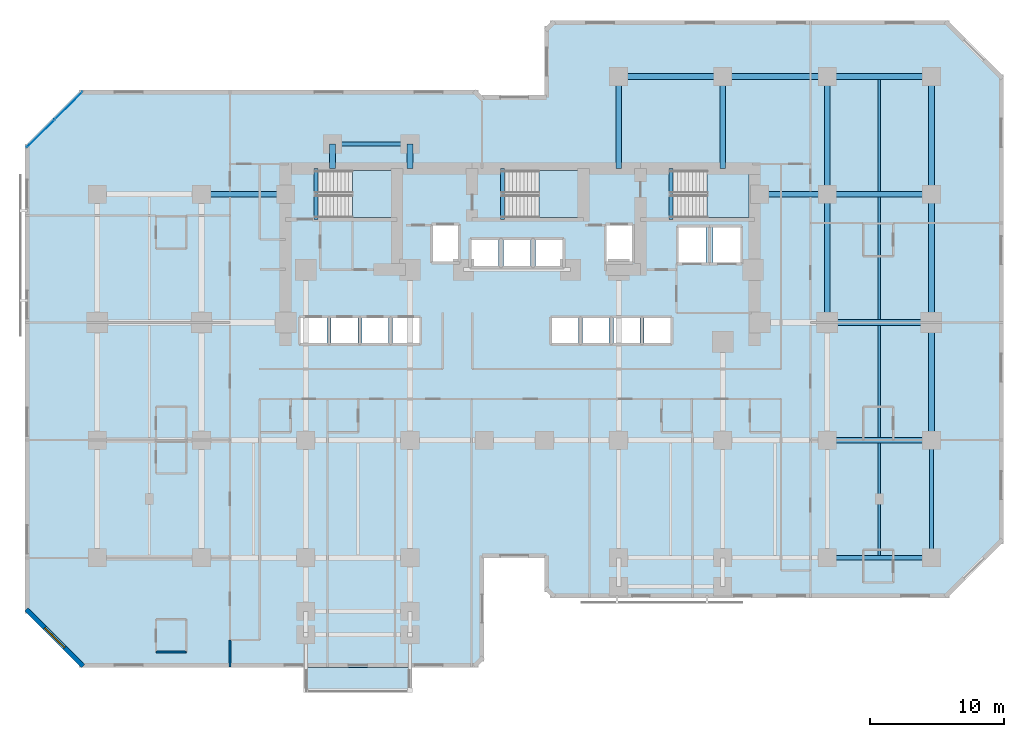
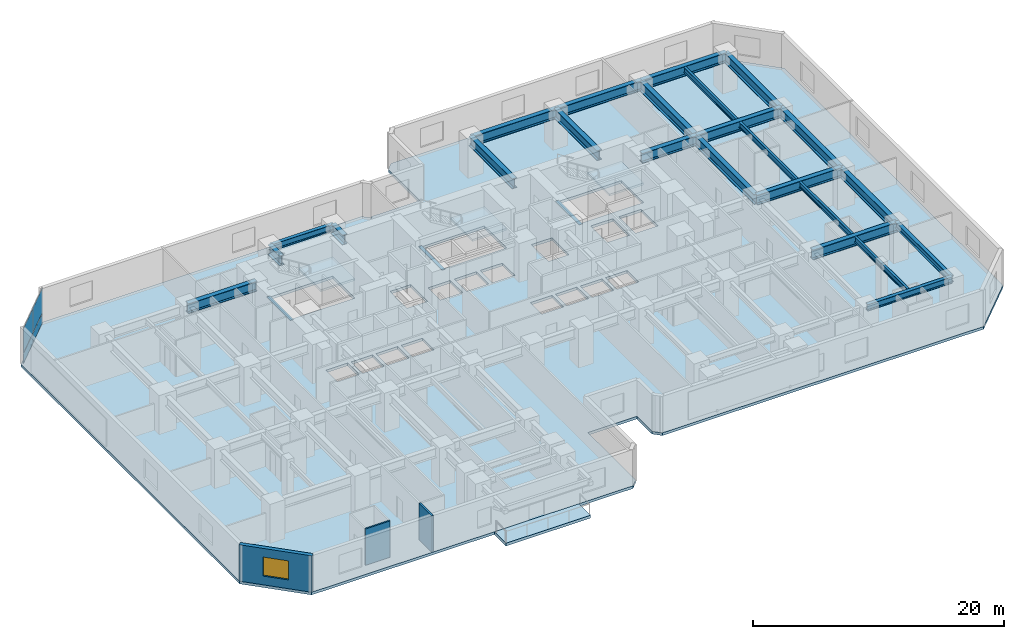
# One storey, part 4 of 12: 27 beams, 5 slabs, 4 plates, 3 walls, 1 window, 1 opening, 4 elements without a shape of their own.
"""IFC4 building model written with IfcOpenShell, lengths in metres."""

from ifc_helpers import new_model, si_unit, direction, frame, frame_2d, origin, origin_2d, place, context, subcontext, project, spatial, polyline, rectangle, i_section, outline, extrude, material, layer, layer_set, material_profile, profile_set, type_object, element, fill, aggregate, save


model = new_model("IFC4")

# Units and contexts
model_context = context("Model", 3, precision=1e-05, world=origin(), true_north=direction((0.0, 1.0)))
body_context = subcontext(model_context, "Body", "Model", "MODEL_VIEW")
ifc_project = project(units=[si_unit("LENGTHUNIT", "METRE"), si_unit("AREAUNIT", "SQUARE_METRE"), si_unit("VOLUMEUNIT", "CUBIC_METRE"), si_unit("PLANEANGLEUNIT", "RADIAN"), si_unit("MASSUNIT", "GRAM", prefix="KILO")], contexts=[model_context])

# Site, building, storey
site_placement = place(None, origin())
site = spatial("IfcSite", under=ifc_project, at=site_placement, CompositionType="ELEMENT")
building_placement = place(site_placement, origin())
building = spatial("IfcBuilding", under=site, at=building_placement, Name="Kestravale Grand Hotel", CompositionType="ELEMENT")
storey_placement = place(building_placement, frame((0.0, 0.0, 48.800048828125)))
storey = spatial("IfcBuildingStorey", under=building, at=storey_placement, Name="L11", CompositionType="ELEMENT", Elevation=48.800048828125)

# Beams
ifc_material_1 = material(Name="Steel ASTM A992 Grade 50", Category="steel")
ifc_material_profile_1 = material_profile(ifc_material_1, i_section(OverallWidth=0.2099609375, OverallDepth=0.535888671875, WebThickness=0.010986328125, FlangeThickness=0.017333984375, FilletRadius=0.017578125, at=origin_2d()))
ifc_profile_set_1 = profile_set([ifc_material_profile_1], Name="Steel ASTM A992 Grade 50")
beam_type_1 = type_object("IfcBeamType", Name="B-FLR-JST21", PredefinedType="JOIST", material=ifc_profile_set_1)
beam_1_placement = place(storey_placement, frame((66.300048828125, 11.362548828125, 3.27197265625), z_axis=(0.0, 1.0, 0.0), x_axis=(-1.0, 0.0, 0.0)))
element("IfcBeam", 1, at=beam_1_placement, inside=storey, type_object=beam_type_1, Name="L11 floor joist 10-11/C-D #1", PredefinedType="JOIST", context=body_context, shape_type="SweptSolid", body=[
    extrude(i_section(OverallWidth=0.2099609375, OverallDepth=0.535888671875, WebThickness=0.010986328125, FlangeThickness=0.017333984375, FilletRadius=0.017578125, at=origin_2d()), origin(), (0.0, 0.0, 1.0), 8.425537109375),
])
beam_2_placement = place(storey_placement, frame((66.300048828125, 20.2119140625, 3.27197265625), z_axis=(0.0, 1.0, 0.0), x_axis=(-1.0, 0.0, 0.0)))
element("IfcBeam", 2, at=beam_2_placement, inside=storey, type_object=beam_type_1, Name="L11 floor joist 10-11/D-E #1", PredefinedType="JOIST", context=body_context, shape_type="SweptSolid", body=[
    extrude(i_section(OverallWidth=0.2099609375, OverallDepth=0.535888671875, WebThickness=0.010986328125, FlangeThickness=0.017333984375, FilletRadius=0.017578125, at=origin_2d()), origin(), (0.0, 0.0, 1.0), 8.3759765625),
])
beam_3_placement = place(storey_placement, frame((66.300048828125, 29.011962890625, 3.27197265625), z_axis=(0.0, 1.0, 0.0), x_axis=(-1.0, 0.0, 0.0)))
element("IfcBeam", 3, at=beam_3_placement, inside=storey, type_object=beam_type_1, Name="L11 floor joist 10-11/E-F #1", PredefinedType="JOIST", context=body_context, shape_type="SweptSolid", body=[
    extrude(i_section(OverallWidth=0.2099609375, OverallDepth=0.535888671875, WebThickness=0.010986328125, FlangeThickness=0.017333984375, FilletRadius=0.017578125, at=origin_2d()), origin(), (0.0, 0.0, 1.0), 9.176025390625),
])
beam_4_placement = place(storey_placement, frame((66.300048828125, 38.612060546875, 3.27197265625), z_axis=(0.0, 1.0, 0.0), x_axis=(-1.0, 0.0, 0.0)))
element("IfcBeam", 4, at=beam_4_placement, inside=storey, type_object=beam_type_1, Name="L11 floor joist 10-11/F-G #1", PredefinedType="JOIST", context=body_context, shape_type="SweptSolid", body=[
    extrude(i_section(OverallWidth=0.2099609375, OverallDepth=0.535888671875, WebThickness=0.010986328125, FlangeThickness=0.017333984375, FilletRadius=0.017578125, at=origin_2d()), origin(), (0.0, 0.0, 1.0), 8.3759765625),
])
ifc_material_2 = material(Name="Concrete f'c 45 MPa", Category="concrete")
ifc_material_profile_2 = material_profile(ifc_material_2, rectangle(XDim=0.300048828125, YDim=0.39990234375, at=origin_2d()))
ifc_profile_set_2 = profile_set([ifc_material_profile_2], Name="Concrete f'c 45 MPa")
beam_type_2 = type_object("IfcBeamType", Name="B-FLR-LNT400", PredefinedType="LINTEL", material=ifc_profile_set_2)
for number, where, z_axis, x_axis, name in (
    (5, (24.159912109375, 36.52001953125, -0.199951171875), (0.0, 1.0, 0.0), (-1.0, 0.0, 0.0), "L11 ST1 flight bottom header beam"),
    (6, (38.110107421875, 36.52001953125, -0.199951171875), (0.0, 1.0, 0.0), (-1.0, 0.0, 0.0), "L11 ST2 flight bottom header beam"),
    (7, (50.7099609375, 36.52001953125, -0.199951171875), (0.0, 1.0, 0.0), (-1.0, 0.0, 0.0), "L11 ST3 flight bottom header beam"),
):
    element("IfcBeam", number, at=place(storey_placement, frame(where, z_axis=z_axis, x_axis=x_axis)), inside=storey, type_object=beam_type_2, Name=name, PredefinedType="LINTEL", context=body_context, shape_type="SweptSolid", body=[
        extrude(rectangle(XDim=0.300048828125, YDim=0.39990234375, at=origin_2d()), origin(), (0.0, 0.0, 1.0), 3.800048828125),
    ])
ifc_material_3 = material(Name="Steel ASTM A992 Grade 50", Category="steel")
ifc_material_profile_3 = material_profile(ifc_material_3, i_section(OverallWidth=0.324951171875, OverallDepth=0.612060546875, WebThickness=0.0126953125, FlangeThickness=0.01904296875, FilletRadius=0.018798828125, at=origin_2d()))
ifc_profile_set_3 = profile_set([ifc_material_profile_3], Name="Steel ASTM A992 Grade 50")
beam_type_3 = type_object("IfcBeamType", Name="B-FLR-W24A", PredefinedType="SPANDREL", material=ifc_profile_set_3)
beam_5_placement = place(storey_placement, frame((62.39990234375, 11.199951171875, 3.23388671875), z_axis=(1.0, 0.0, 0.0), x_axis=(0.0, 1.0, 0.0)))
element("IfcBeam", 8, at=beam_5_placement, inside=storey, type_object=beam_type_3, Name="L11 spandrel C:10-11", PredefinedType="SPANDREL", context=body_context, shape_type="SweptSolid", body=[
    extrude(i_section(OverallWidth=0.324951171875, OverallDepth=0.612060546875, WebThickness=0.0126953125, FlangeThickness=0.01904296875, FilletRadius=0.018798828125, at=origin_2d()), origin(), (0.0, 0.0, 1.0), 7.800048828125),
])
beam_6_placement = place(storey_placement, frame((25.39990234375, 42.14990234375, 3.23388671875), z_axis=(1.0, 0.0, 0.0), x_axis=(0.0, 1.0, 0.0)))
element("IfcBeam", 9, at=beam_6_placement, inside=storey, type_object=beam_type_3, Name="L11 perimeter tie spandrel FN:4-5", PredefinedType="SPANDREL", context=body_context, shape_type="SweptSolid", body=[
    extrude(i_section(OverallWidth=0.324951171875, OverallDepth=0.612060546875, WebThickness=0.0126953125, FlangeThickness=0.01904296875, FilletRadius=0.018798828125, at=origin_2d()), origin(), (0.0, 0.0, 1.0), 5.800048828125),
])
beam_7_placement = place(storey_placement, frame((70.199951171875, 11.199951171875, 3.23388671875), z_axis=(0.0, 1.0, 0.0), x_axis=(-1.0, 0.0, 0.0)))
element("IfcBeam", 10, at=beam_7_placement, inside=storey, type_object=beam_type_3, Name="L11 spandrel 11:C-D", PredefinedType="SPANDREL", context=body_context, shape_type="SweptSolid", body=[
    extrude(i_section(OverallWidth=0.324951171875, OverallDepth=0.612060546875, WebThickness=0.0126953125, FlangeThickness=0.01904296875, FilletRadius=0.018798828125, at=origin_2d()), origin(), (0.0, 0.0, 1.0), 8.800048828125),
])
ifc_material_4 = material(Name="Steel ASTM A992 Grade 50", Category="steel")
ifc_material_profile_4 = material_profile(ifc_material_4, i_section(OverallWidth=0.424072265625, OverallDepth=0.947021484375, WebThickness=0.02392578125, FlangeThickness=0.042724609375, FilletRadius=0.0283203125, at=origin_2d()))
ifc_profile_set_4 = profile_set([ifc_material_profile_4], Name="Steel ASTM A992 Grade 50")
beam_type_4 = type_object("IfcBeamType", Name="B-GRD-W36", PredefinedType="BEAM", material=ifc_profile_set_4)
for number, where, z_axis, x_axis, name in (
    (11, (62.39990234375, 20.0, 3.06640625), (1.0, 0.0, 0.0), (0.0, 1.0, 0.0), "L11 girder D:10-11"),
    (12, (62.39990234375, 28.800048828125, 3.06640625), (1.0, 0.0, 0.0), (0.0, 1.0, 0.0), "L11 girder E:10-11"),
):
    element("IfcBeam", number, at=place(storey_placement, frame(where, z_axis=z_axis, x_axis=x_axis)), inside=storey, type_object=beam_type_4, Name=name, PredefinedType="BEAM", context=body_context, shape_type="SweptSolid", body=[
        extrude(i_section(OverallWidth=0.424072265625, OverallDepth=0.947021484375, WebThickness=0.02392578125, FlangeThickness=0.042724609375, FilletRadius=0.0283203125, at=origin_2d()), origin(), (0.0, 0.0, 1.0), 7.800048828125),
    ])
beam_8_placement = place(storey_placement, frame((15.60009765625, 38.39990234375, 3.06640625), z_axis=(1.0, 0.0, 0.0), x_axis=(0.0, 1.0, 0.0)))
element("IfcBeam", 13, at=beam_8_placement, inside=storey, type_object=beam_type_4, Name="L11 girder F:3-CW", PredefinedType="BEAM", context=body_context, shape_type="SweptSolid", body=[
    extrude(i_section(OverallWidth=0.424072265625, OverallDepth=0.947021484375, WebThickness=0.02392578125, FlangeThickness=0.042724609375, FilletRadius=0.0283203125, at=origin_2d()), origin(), (0.0, 0.0, 1.0), 6.2998046875),
])
beam_9_placement = place(storey_placement, frame((57.35009765625, 38.39990234375, 3.06640625), z_axis=(1.0, 0.0, 0.0), x_axis=(0.0, 1.0, 0.0)))
element("IfcBeam", 14, at=beam_9_placement, inside=storey, type_object=beam_type_4, Name="L11 girder F:CE-10", PredefinedType="BEAM", context=body_context, shape_type="SweptSolid", body=[
    extrude(i_section(OverallWidth=0.424072265625, OverallDepth=0.947021484375, WebThickness=0.02392578125, FlangeThickness=0.042724609375, FilletRadius=0.0283203125, at=origin_2d()), origin(), (0.0, 0.0, 1.0), 5.0498046875),
])
for number, where, z_axis, x_axis, name in (
    (15, (62.39990234375, 38.39990234375, 3.06640625), (1.0, 0.0, 0.0), (0.0, 1.0, 0.0), "L11 girder F:10-11"),
    (16, (46.800048828125, 47.199951171875, 3.06640625), (1.0, 0.0, 0.0), (0.0, 1.0, 0.0), "L11 girder G:8-9"),
):
    element("IfcBeam", number, at=place(storey_placement, frame(where, z_axis=z_axis, x_axis=x_axis)), inside=storey, type_object=beam_type_4, Name=name, PredefinedType="BEAM", context=body_context, shape_type="SweptSolid", body=[
        extrude(i_section(OverallWidth=0.424072265625, OverallDepth=0.947021484375, WebThickness=0.02392578125, FlangeThickness=0.042724609375, FilletRadius=0.0283203125, at=origin_2d()), origin(), (0.0, 0.0, 1.0), 7.800048828125),
    ])
beam_10_placement = place(storey_placement, frame((54.60009765625, 47.199951171875, 3.06640625), z_axis=(1.0, 0.0, 0.0), x_axis=(0.0, 1.0, 0.0)))
element("IfcBeam", 17, at=beam_10_placement, inside=storey, type_object=beam_type_4, Name="L11 girder G:9-10", PredefinedType="BEAM", context=body_context, shape_type="SweptSolid", body=[
    extrude(i_section(OverallWidth=0.424072265625, OverallDepth=0.947021484375, WebThickness=0.02392578125, FlangeThickness=0.042724609375, FilletRadius=0.0283203125, at=origin_2d()), origin(), (0.0, 0.0, 1.0), 7.7998046875),
])
beam_11_placement = place(storey_placement, frame((62.39990234375, 47.199951171875, 3.06640625), z_axis=(1.0, 0.0, 0.0), x_axis=(0.0, 1.0, 0.0)))
element("IfcBeam", 18, at=beam_11_placement, inside=storey, type_object=beam_type_4, Name="L11 girder G:10-11", PredefinedType="BEAM", context=body_context, shape_type="SweptSolid", body=[
    extrude(i_section(OverallWidth=0.424072265625, OverallDepth=0.947021484375, WebThickness=0.02392578125, FlangeThickness=0.042724609375, FilletRadius=0.0283203125, at=origin_2d()), origin(), (0.0, 0.0, 1.0), 7.800048828125),
])
beam_12_placement = place(storey_placement, frame((62.39990234375, 28.800048828125, 3.06640625), z_axis=(0.0, 1.0, 0.0), x_axis=(-1.0, 0.0, 0.0)))
element("IfcBeam", 19, at=beam_12_placement, inside=storey, type_object=beam_type_4, Name="L11 girder 10:E-F", PredefinedType="BEAM", context=body_context, shape_type="SweptSolid", body=[
    extrude(i_section(OverallWidth=0.424072265625, OverallDepth=0.947021484375, WebThickness=0.02392578125, FlangeThickness=0.042724609375, FilletRadius=0.0283203125, at=origin_2d()), origin(), (0.0, 0.0, 1.0), 9.599853515625),
])
for number, where, z_axis, x_axis, name in (
    (20, (62.39990234375, 38.39990234375, 3.06640625), (0.0, 1.0, 0.0), (-1.0, 0.0, 0.0), "L11 girder 10:F-G"),
    (21, (70.199951171875, 20.0, 3.06640625), (0.0, 1.0, 0.0), (-1.0, 0.0, 0.0), "L11 girder 11:D-E"),
):
    element("IfcBeam", number, at=place(storey_placement, frame(where, z_axis=z_axis, x_axis=x_axis)), inside=storey, type_object=beam_type_4, Name=name, PredefinedType="BEAM", context=body_context, shape_type="SweptSolid", body=[
        extrude(i_section(OverallWidth=0.424072265625, OverallDepth=0.947021484375, WebThickness=0.02392578125, FlangeThickness=0.042724609375, FilletRadius=0.0283203125, at=origin_2d()), origin(), (0.0, 0.0, 1.0), 8.800048828125),
    ])
beam_13_placement = place(storey_placement, frame((70.199951171875, 28.800048828125, 3.06640625), z_axis=(0.0, 1.0, 0.0), x_axis=(-1.0, 0.0, 0.0)))
element("IfcBeam", 22, at=beam_13_placement, inside=storey, type_object=beam_type_4, Name="L11 girder 11:E-F", PredefinedType="BEAM", context=body_context, shape_type="SweptSolid", body=[
    extrude(i_section(OverallWidth=0.424072265625, OverallDepth=0.947021484375, WebThickness=0.02392578125, FlangeThickness=0.042724609375, FilletRadius=0.0283203125, at=origin_2d()), origin(), (0.0, 0.0, 1.0), 9.599853515625),
])
beam_14_placement = place(storey_placement, frame((70.199951171875, 38.39990234375, 3.06640625), z_axis=(0.0, 1.0, 0.0), x_axis=(-1.0, 0.0, 0.0)))
element("IfcBeam", 23, at=beam_14_placement, inside=storey, type_object=beam_type_4, Name="L11 girder 11:F-G", PredefinedType="BEAM", context=body_context, shape_type="SweptSolid", body=[
    extrude(i_section(OverallWidth=0.424072265625, OverallDepth=0.947021484375, WebThickness=0.02392578125, FlangeThickness=0.042724609375, FilletRadius=0.0283203125, at=origin_2d()), origin(), (0.0, 0.0, 1.0), 8.800048828125),
])
for number, where, z_axis, x_axis, name in (
    (24, (25.39990234375, 40.320068359375, 3.06640625), (0.0, 1.0, 0.0), (-1.0, 0.0, 0.0), "L11 north wing tie girder 4:CN-FN"),
    (25, (31.199951171875, 40.320068359375, 3.06640625), (0.0, 1.0, 0.0), (-1.0, 0.0, 0.0), "L11 north wing tie girder 5:CN-FN"),
):
    element("IfcBeam", number, at=place(storey_placement, frame(where, z_axis=z_axis, x_axis=x_axis)), inside=storey, type_object=beam_type_4, Name=name, PredefinedType="BEAM", context=body_context, shape_type="SweptSolid", body=[
        extrude(i_section(OverallWidth=0.424072265625, OverallDepth=0.947021484375, WebThickness=0.02392578125, FlangeThickness=0.042724609375, FilletRadius=0.0283203125, at=origin_2d()), origin(), (0.0, 0.0, 1.0), 1.829833984375),
    ])
for number, where, z_axis, x_axis, name in (
    (26, (46.800048828125, 40.320068359375, 3.06640625), (0.0, 1.0, 0.0), (-1.0, 0.0, 0.0), "L11 north wing tie girder 8:CN-G"),
    (27, (54.60009765625, 40.320068359375, 3.06640625), (0.0, 1.0, 0.0), (-1.0, 0.0, 0.0), "L11 north wing tie girder 9:CN-G"),
):
    element("IfcBeam", number, at=place(storey_placement, frame(where, z_axis=z_axis, x_axis=x_axis)), inside=storey, type_object=beam_type_4, Name=name, PredefinedType="BEAM", context=body_context, shape_type="SweptSolid", body=[
        extrude(i_section(OverallWidth=0.424072265625, OverallDepth=0.947021484375, WebThickness=0.02392578125, FlangeThickness=0.042724609375, FilletRadius=0.0283203125, at=origin_2d()), origin(), (0.0, 0.0, 1.0), 6.8798828125),
    ])

# Curtain wall, plates
ifc_material_5 = material(Name="Thermally broken champagne-bronze aluminium and low-E glazing", Category="aluminium")
ifc_layer_1 = layer(ifc_material_5, 0.199951171875)
ifc_layer_set_1 = layer_set([ifc_layer_1], Name="CW-Z1")
curtain_wall_type = type_object("IfcCurtainWallType", Name="CW-Z1", PredefinedType="NOTDEFINED", material=ifc_layer_set_1)
curtain_wall_placement = place(storey_placement, origin())
curtain_wall = element("IfcCurtainWall", 28, at=curtain_wall_placement, inside=storey, type_object=curtain_wall_type, Name="L11 unitised curtain wall 18", PredefinedType="NOTDEFINED")
ifc_material_6 = material(Name="Insulated clear low-E double glazing IGU", Category="glass")
ifc_layer_2 = layer(ifc_material_6, 0.035888671875)
ifc_layer_set_2 = layer_set([ifc_layer_2], Name="CW-PNL-36")
plate_type = type_object("IfcPlateType", Name="CW-PNL-36", PredefinedType="CURTAIN_PANEL", material=ifc_layer_set_2)
plate_1_placement = place(storey_placement, frame((5.6640625, 45.023681640625, 0.074951171875), z_axis=(0.0, 0.0, 1.0), x_axis=(-0.707106781187, -0.707106781187, 0.0)))
plate_1 = element("IfcPlate", 29, at=plate_1_placement, type_object=plate_type, Name="CW-Z1 panel 1.1", PredefinedType="CURTAIN_PANEL", context=body_context, shape_type="SweptSolid", body=[
    extrude(rectangle(XDim=2.87744140625, YDim=0.035888671875, at=origin_2d()), origin(), (0.0, 0.0, 1.0), 0.9375),
])
plate_2_placement = place(storey_placement, frame((5.6640625, 45.023681640625, 1.08740234375), z_axis=(0.0, 0.0, 1.0), x_axis=(-0.707106781187, -0.707106781187, 0.0)))
plate_2 = element("IfcPlate", 30, at=plate_2_placement, type_object=plate_type, Name="CW-Z1 panel 1.2", PredefinedType="CURTAIN_PANEL", context=body_context, shape_type="SweptSolid", body=[
    extrude(rectangle(XDim=2.87744140625, YDim=0.035888671875, at=origin_2d()), origin(), (0.0, 0.0, 1.0), 2.37744140625),
])
plate_3_placement = place(storey_placement, frame((3.576416015625, 42.93603515625, 0.074951171875), z_axis=(0.0, 0.0, 1.0), x_axis=(-0.707106781187, -0.707106781187, 0.0)))
plate_3 = element("IfcPlate", 31, at=plate_3_placement, type_object=plate_type, Name="CW-Z1 panel 2.1", PredefinedType="CURTAIN_PANEL", context=body_context, shape_type="SweptSolid", body=[
    extrude(rectangle(XDim=2.87744140625, YDim=0.035888671875, at=origin_2d()), origin(), (0.0, 0.0, 1.0), 0.9375),
])
plate_4_placement = place(storey_placement, frame((3.576416015625, 42.93603515625, 1.08740234375), z_axis=(0.0, 0.0, 1.0), x_axis=(-0.707106781187, -0.707106781187, 0.0)))
plate_4 = element("IfcPlate", 32, at=plate_4_placement, type_object=plate_type, Name="CW-Z1 panel 2.2", PredefinedType="CURTAIN_PANEL", context=body_context, shape_type="SweptSolid", body=[
    extrude(rectangle(XDim=2.87744140625, YDim=0.035888671875, at=origin_2d()), origin(), (0.0, 0.0, 1.0), 2.37744140625),
])
aggregate(curtain_wall, [plate_1, plate_2, plate_3, plate_4])

# Slab
ifc_material_7 = material(Name="Concrete f'c 45 MPa", Category="concrete")
ifc_layer_3 = layer(ifc_material_7, 0.27001953125)
ifc_layer_set_3 = layer_set([ifc_layer_3], Name="ES-TERR-270")
slab_type_1 = type_object("IfcSlabType", Name="ES-TERR-270", PredefinedType="FLOOR", material=ifc_layer_set_3)
slab_1_placement = place(storey_placement, frame((0.0, 0.0, -0.27001953125)))
element("IfcSlab", 33, at=slab_1_placement, inside=storey, type_object=slab_type_1, Name="L11 spiralling planted garden terrace", PredefinedType="FLOOR", context=body_context, shape_type="SweptSolid", body=[
    extrude(outline(polyline([(23.39990234375, 1.14990234375), (31.199951171875, 1.14990234375), (31.199951171875, 3.0), (23.39990234375, 3.0), (23.39990234375, 1.14990234375)])), origin(), (0.0, 0.0, 1.0), 0.27001953125),
])

# Stair, slab
ifc_material_8 = material(Name="Concrete f'c 45 MPa", Category="concrete")
stair_type = type_object("IfcStairType", Name="ST-CORE-380", PredefinedType="HALF_TURN_STAIR", material=ifc_material_8)
stair_1_placement = place(storey_placement, origin())
stair_1 = element("IfcStair", 34, at=stair_1_placement, inside=storey, type_object=stair_type, Name="L11 ST-1", PredefinedType="HALF_TURN_STAIR")
ifc_material_9 = material(Name="Concrete f'c 45 MPa", Category="concrete")
ifc_layer_4 = layer(ifc_material_9, 0.199951171875)
ifc_layer_set_4 = layer_set([ifc_layer_4], Name="SLB-ST-LND200")
slab_type_2 = type_object("IfcSlabType", Name="SLB-ST-LND200", PredefinedType="LANDING", material=ifc_layer_set_4)
slab_2_placement = place(storey_placement, frame((0.0, 0.0, 1.699951171875)))
slab_2 = element("IfcSlab", 35, at=slab_2_placement, type_object=slab_type_2, Name="ST-1 landing 1", PredefinedType="LANDING", context=body_context, shape_type="SweptSolid", body=[
    extrude(outline(polyline([(26.8798828125, 36.64990234375), (30.0, 36.64990234375), (30.0, 40.159912109375), (26.8798828125, 40.159912109375), (26.8798828125, 36.64990234375)])), origin(), (0.0, 0.0, 1.0), 0.199951171875),
])
aggregate(stair_1, [slab_2])

stair_2_placement = place(storey_placement, origin())
stair_2 = element("IfcStair", 36, at=stair_2_placement, inside=storey, type_object=stair_type, Name="L11 ST-2", PredefinedType="HALF_TURN_STAIR")
slab_3_placement = place(storey_placement, frame((0.0, 0.0, 1.699951171875)))
slab_3 = element("IfcSlab", 37, at=slab_3_placement, type_object=slab_type_2, Name="ST-2 landing 1", PredefinedType="LANDING", context=body_context, shape_type="SweptSolid", body=[
    extrude(outline(polyline([(40.830078125, 36.64990234375), (43.949951171875, 36.64990234375), (43.949951171875, 40.159912109375), (40.830078125, 40.159912109375), (40.830078125, 36.64990234375)])), origin(), (0.0, 0.0, 1.0), 0.199951171875),
])
aggregate(stair_2, [slab_3])

stair_3_placement = place(storey_placement, origin())
stair_3 = element("IfcStair", 38, at=stair_3_placement, inside=storey, type_object=stair_type, Name="L11 ST-3", PredefinedType="HALF_TURN_STAIR")
slab_4_placement = place(storey_placement, frame((0.0, 0.0, 1.699951171875)))
slab_4 = element("IfcSlab", 39, at=slab_4_placement, type_object=slab_type_2, Name="ST-3 landing 1", PredefinedType="LANDING", context=body_context, shape_type="SweptSolid", body=[
    extrude(outline(polyline([(53.429931640625, 36.64990234375), (56.550048828125, 36.64990234375), (56.550048828125, 40.159912109375), (53.429931640625, 40.159912109375), (53.429931640625, 36.64990234375)])), origin(), (0.0, 0.0, 1.0), 0.199951171875),
])
aggregate(stair_3, [slab_4])

# Slab
ifc_material_10 = material(Name="Concrete f'c 45 MPa", Category="concrete")
ifc_layer_5 = layer(ifc_material_10, 0.260009765625)
ifc_layer_set_5 = layer_set([ifc_layer_5], Name="SS-FLR-260")
slab_type_3 = type_object("IfcSlabType", Name="SS-FLR-260", PredefinedType="FLOOR", material=ifc_layer_set_5)
slab_5_placement = place(storey_placement, frame((0.0, 0.0, -0.260009765625)))
element("IfcSlab", 40, at=slab_5_placement, inside=storey, type_object=slab_type_3, Name="L11 structural floor slab", PredefinedType="FLOOR", context=body_context, shape_type="SweptSolid", body=[
    extrude(outline(polyline([(6.60009765625, 3.0), (36.14990234375, 3.0), (36.75, 3.60009765625), (36.75, 11.199951171875), (41.25, 11.199951171875), (41.25, 8.800048828125), (41.85009765625, 8.199951171875), (71.39990234375, 8.199951171875), (75.60009765625, 12.39990234375), (75.60009765625, 47.199951171875), (71.39990234375, 51.39990234375), (41.85009765625, 51.39990234375), (41.25, 50.800048828125), (41.25, 45.800048828125), (36.75, 45.800048828125), (36.75, 45.60009765625), (36.14990234375, 46.199951171875), (6.60009765625, 46.199951171875), (2.39990234375, 42.0), (2.39990234375, 7.199951171875), (6.60009765625, 3.0)]), holes=[polyline([(24.080078125, 36.64990234375), (30.0, 36.64990234375), (30.0, 40.159912109375), (24.080078125, 40.159912109375), (24.080078125, 36.64990234375)]), polyline([(38.030029296875, 36.64990234375), (43.949951171875, 36.64990234375), (43.949951171875, 40.159912109375), (38.030029296875, 40.159912109375), (38.030029296875, 36.64990234375)]), polyline([(50.6298828125, 36.64990234375), (56.550048828125, 36.64990234375), (56.550048828125, 40.159912109375), (50.6298828125, 40.159912109375), (50.6298828125, 36.64990234375)]), polyline([(23.0048828125, 27.280029296875), (24.9951171875, 27.280029296875), (24.9951171875, 29.1201171875), (23.0048828125, 29.1201171875), (23.0048828125, 27.280029296875)]), polyline([(25.304931640625, 27.280029296875), (27.294921875, 27.280029296875), (27.294921875, 29.1201171875), (25.304931640625, 29.1201171875), (25.304931640625, 27.280029296875)]), polyline([(27.60498046875, 27.280029296875), (29.594970703125, 27.280029296875), (29.594970703125, 29.1201171875), (27.60498046875, 29.1201171875), (27.60498046875, 27.280029296875)]), polyline([(29.905029296875, 27.280029296875), (31.89501953125, 27.280029296875), (31.89501953125, 29.1201171875), (29.905029296875, 29.1201171875), (29.905029296875, 27.280029296875)]), polyline([(41.804931640625, 27.280029296875), (43.794921875, 27.280029296875), (43.794921875, 29.1201171875), (41.804931640625, 29.1201171875), (41.804931640625, 27.280029296875)]), polyline([(44.10498046875, 27.280029296875), (46.094970703125, 27.280029296875), (46.094970703125, 29.1201171875), (44.10498046875, 29.1201171875), (44.10498046875, 27.280029296875)]), polyline([(46.405029296875, 27.280029296875), (48.39501953125, 27.280029296875), (48.39501953125, 29.1201171875), (46.405029296875, 29.1201171875), (46.405029296875, 27.280029296875)]), polyline([(48.705078125, 27.280029296875), (50.695068359375, 27.280029296875), (50.695068359375, 29.1201171875), (48.705078125, 29.1201171875), (48.705078125, 27.280029296875)]), polyline([(35.780029296875, 33.030029296875), (37.820068359375, 33.030029296875), (37.820068359375, 34.969970703125), (35.780029296875, 34.969970703125), (35.780029296875, 33.030029296875)]), polyline([(38.179931640625, 33.030029296875), (40.219970703125, 33.030029296875), (40.219970703125, 34.969970703125), (38.179931640625, 34.969970703125), (38.179931640625, 33.030029296875)]), polyline([(40.580078125, 33.030029296875), (42.6201171875, 33.030029296875), (42.6201171875, 34.969970703125), (40.580078125, 34.969970703125), (40.580078125, 33.030029296875)]), polyline([(32.905029296875, 33.35498046875), (34.794921875, 33.35498046875), (34.794921875, 36.044921875), (32.905029296875, 36.044921875), (32.905029296875, 33.35498046875)]), polyline([(45.905029296875, 33.35498046875), (47.794921875, 33.35498046875), (47.794921875, 36.044921875), (45.905029296875, 36.044921875), (45.905029296875, 33.35498046875)]), polyline([(51.280029296875, 33.280029296875), (53.320068359375, 33.280029296875), (53.320068359375, 35.919921875), (51.280029296875, 35.919921875), (51.280029296875, 33.280029296875)]), polyline([(53.8798828125, 33.280029296875), (55.919921875, 33.280029296875), (55.919921875, 35.919921875), (53.8798828125, 35.919921875), (53.8798828125, 33.280029296875)])]), origin(), (0.0, 0.0, 1.0), 0.260009765625),
])

# Wall, opening, window
ifc_material_11 = material(Name="Precast concrete f'c 45 MPa", Category="concrete")
ifc_layer_6 = layer(ifc_material_11, 0.340087890625)
ifc_layer_set_6 = layer_set([ifc_layer_6], Name="EW-PREC-340")
wall_type_1 = type_object("IfcWallType", Name="EW-PREC-340", PredefinedType="SOLIDWALL", material=ifc_layer_set_6)
wall_1_placement = place(storey_placement, frame((2.491943359375, 7.348388671875, 0.0), z_axis=(0.0, 0.0, 1.0), x_axis=(0.707106781187, -0.707106781187, 0.0)))
wall_1 = element("IfcWall", 41, at=wall_1_placement, inside=storey, type_object=wall_type_1, Name="L11 fluted precast facade wall 20", PredefinedType="SOLIDWALL", context=body_context, shape_type="SweptSolid", body=[
    extrude(rectangle(XDim=6.019775390625, YDim=0.340087890625, at=frame_2d((3.009765625, 0.0))), origin(), (0.0, 0.0, 1.0), 3.5400390625),
])
opening_placement = place(wall_1_placement, frame((1.9599609375, 0.0, 0.85009765625)))
opening = element("IfcOpeningElement", 42, at=opening_placement, cuts=wall_1, Name="Opening W-GUEST-2100", PredefinedType="OPENING", context=body_context, shape_type="SweptSolid", body=[
    extrude(rectangle(XDim=2.10009765625, YDim=1.85009765625, at=frame_2d((1.050048828125, 0.925048828125))), frame((0.0, 0.179931640625, 0.0), z_axis=(0.0, -1.0, 0.0), x_axis=(1.0, 0.0, 0.0)), (0.0, 0.0, 1.0), 0.360107421875),
])
ifc_material_12 = material(Name="Insulated low-E double glazing in aluminium frame", Category="aluminium")
window_type = type_object("IfcWindowType", Name="W-GUEST-2100", PartitioningType="DOUBLE_PANEL_VERTICAL", PredefinedType="WINDOW", material=ifc_material_12)
window_placement = place(opening_placement, origin())
window = element("IfcWindow", 43, at=window_placement, inside=storey, type_object=window_type, Name="L11 exterior window 20.1", OverallHeight=1.85009765625, OverallWidth=2.10009765625, PartitioningType="SINGLE_PANEL", PredefinedType="WINDOW", context=body_context, shape_type="SweptSolid", body=[
    extrude(rectangle(XDim=2.10009765625, YDim=1.85009765625, at=frame_2d((1.050048828125, 0.925048828125))), frame((0.0, 0.030029296875, 0.0), z_axis=(0.0, -1.0, 0.0), x_axis=(1.0, 0.0, 0.0)), (0.0, 0.0, 1.0), 0.06005859375),
])
fill(opening, window)

# Walls
ifc_material_13 = material(Name="Moisture-resistant tile-backer plumbing chase wall", Category="other")
ifc_layer_7 = layer(ifc_material_13, 0.139892578125)
ifc_layer_set_7 = layer_set([ifc_layer_7], Name="IW-PLB-140")
wall_type_2 = type_object("IfcWallType", Name="IW-PLB-140", PredefinedType="PLUMBINGWALL", material=ifc_layer_set_7)
wall_2_placement = place(storey_placement, frame((12.199951171875, 4.14990234375, 0.0), z_axis=(0.0, 0.0, 1.0), x_axis=(1.0, 0.0, 0.0)))
element("IfcWall", 44, at=wall_2_placement, inside=storey, type_object=wall_type_2, Name="W-L11-U05-BS", PredefinedType="PLUMBINGWALL", context=body_context, shape_type="SweptSolid", body=[
    extrude(rectangle(XDim=2.25, YDim=0.139892578125, at=frame_2d((1.125, 0.0))), origin(), (0.0, 0.0, 1.0), 3.5400390625),
])
ifc_material_14 = material(Name="Double-stud STC 52 acoustic demising partition", Category="other")
ifc_layer_8 = layer(ifc_material_14, 0.14990234375)
ifc_layer_set_8 = layer_set([ifc_layer_8], Name="IW-UNIT-150")
wall_type_3 = type_object("IfcWallType", Name="IW-UNIT-150", PredefinedType="PARTITIONING", material=ifc_layer_set_8)
wall_3_placement = place(storey_placement, frame((17.739990234375, 3.02001953125, 0.0), z_axis=(0.0, 0.0, 1.0), x_axis=(0.0, 1.0, 0.0)))
element("IfcWall", 45, at=wall_3_placement, inside=storey, type_object=wall_type_3, Name="W-L11-SW-EXT", PredefinedType="PARTITIONING", context=body_context, shape_type="SweptSolid", body=[
    extrude(rectangle(XDim=2.030029296875, YDim=0.14990234375, at=frame_2d((1.01513671875, 0.0))), origin(), (0.0, 0.0, 1.0), 3.5400390625),
])

save(model, "model.ifc")
